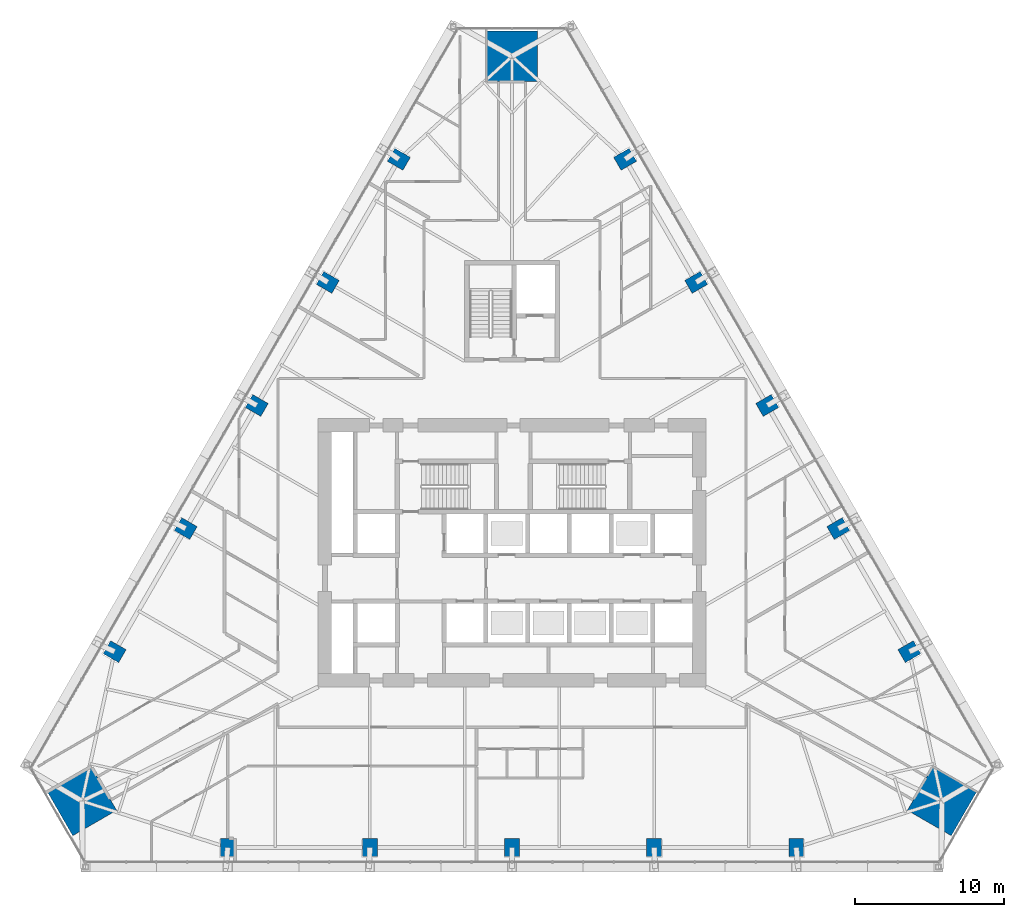
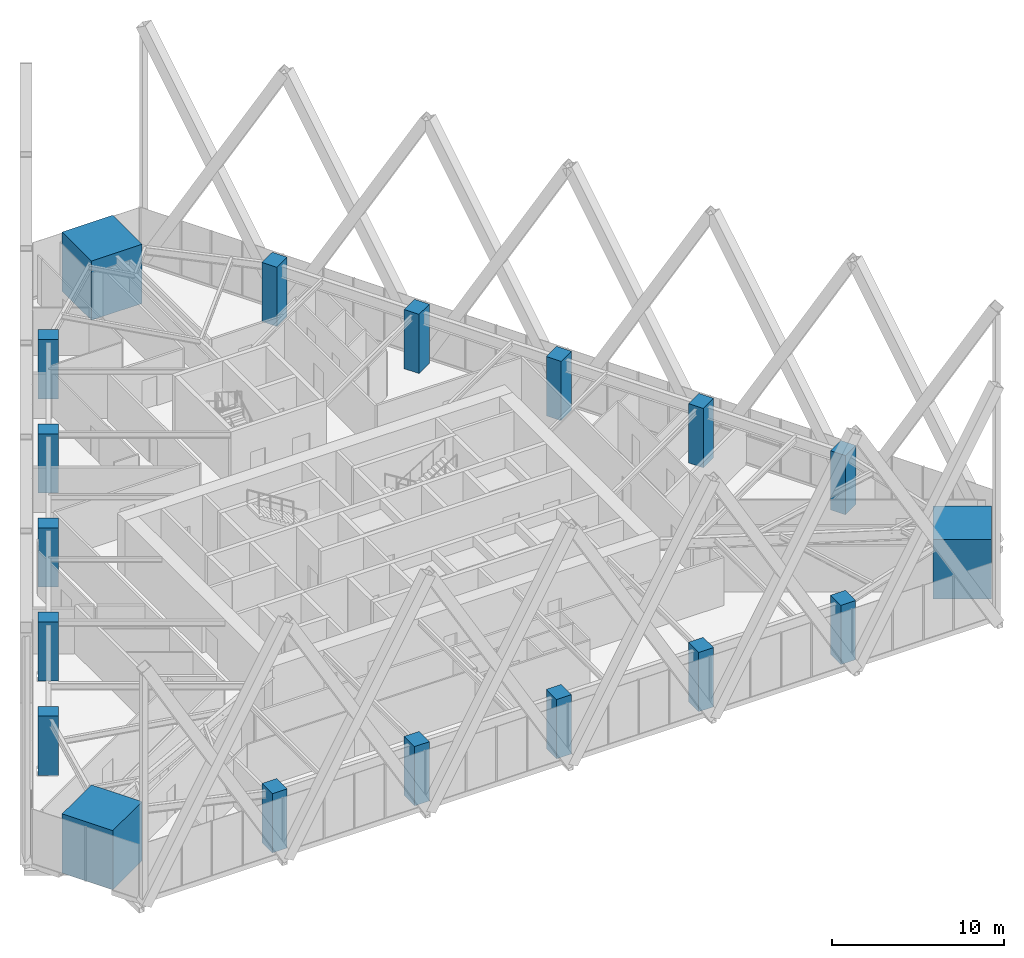
# One storey, part 1 of 23: 18 columns.
"""IFC4 building model written with IfcOpenShell, lengths in metres."""

from ifc_helpers import new_model, si_unit, direction, frame, origin, origin_2d, place, context, subcontext, project, spatial, rectangle, extrude, material, material_profile, profile_set, type_object, element, save


model = new_model("IFC4")

# Units and contexts
model_context = context("Model", 3, precision=1e-05, world=origin(), true_north=direction((0.0, 1.0)))
body_context = subcontext(model_context, "Body", "Model", "MODEL_VIEW")
ifc_project = project(units=[si_unit("LENGTHUNIT", "METRE"), si_unit("AREAUNIT", "SQUARE_METRE"), si_unit("VOLUMEUNIT", "CUBIC_METRE"), si_unit("PLANEANGLEUNIT", "RADIAN"), si_unit("MASSUNIT", "GRAM", prefix="KILO")], contexts=[model_context])

# Site, building, storey
site_placement = place(None, origin())
site = spatial("IfcSite", under=ifc_project, at=site_placement, CompositionType="ELEMENT")
building_placement = place(site_placement, origin())
building = spatial("IfcBuilding", under=site, at=building_placement, Name="Firuza Gate Tower and Library", CompositionType="ELEMENT")
storey_placement = place(building_placement, frame((0.0, 0.0, 56.800048828125)))
storey = spatial("IfcBuildingStorey", under=building, at=storey_placement, Name="L12", CompositionType="ELEMENT", Elevation=56.800048828125)

# Columns
ifc_material_1 = material(Name="Concrete C80/95", Category="concrete")
ifc_material_profile_1 = material_profile(ifc_material_1, rectangle(XDim=3.39990234375, YDim=3.39990234375, at=origin_2d()))
ifc_profile_set_1 = profile_set([ifc_material_profile_1], Name="Concrete C80/95")
column_type_1 = type_object("IfcColumnType", Name="Mega column 3400x3400 C80/95", PredefinedType="COLUMN", material=ifc_profile_set_1)
for number, where, z_axis, x_axis, name in (
    (1, (103.844482421875, 58.3466796875, 0.0), (0.0, 0.0, 1.0), (0.5, 0.866025403784, 0.0), "Mega column SE L12"),
    (2, (75.0, 108.306884765625, 0.0), (0.0, 0.0, 1.0), (-1.0, 0.0, 0.0), "Mega column N L12"),
    (3, (46.155517578125, 58.3466796875, 0.0), (0.0, 0.0, 1.0), (0.5, -0.866025403784, 0.0), "Mega column SW L12"),
):
    element("IfcColumn", number, at=place(storey_placement, frame(where, z_axis=z_axis, x_axis=x_axis)), inside=storey, type_object=column_type_1, Name=name, PredefinedType="COLUMN", context=body_context, shape_type="SweptSolid", body=[
        extrude(rectangle(XDim=3.39990234375, YDim=3.39990234375, at=origin_2d()), origin(), (0.0, 0.0, 1.0), 4.199951171875),
    ])
ifc_material_2 = material(Name="Concrete C60/75", Category="concrete")
ifc_material_profile_2 = material_profile(ifc_material_2, rectangle(XDim=1.0, YDim=1.199951171875, at=origin_2d()))
ifc_profile_set_2 = profile_set([ifc_material_profile_2], Name="Concrete C60/75")
column_type_2 = type_object("IfcColumnType", Name="Perimeter column 1000x1200 C60/75", PredefinedType="COLUMN", material=ifc_profile_set_2)
for number, where, z_axis, x_axis, name in (
    (4, (55.93115234375, 55.22900390625, -0.00048828125), (0.0, 0.0, 1.0), (1.0, 0.0, 0.0), "Column S1 L12"),
    (5, (65.465576171875, 55.22900390625, -0.00048828125), (0.0, 0.0, 1.0), (1.0, 0.0, 0.0), "Column S2 L12"),
    (6, (75.0, 55.22900390625, -0.00048828125), (0.0, 0.0, 1.0), (1.0, 0.0, 0.0), "Column S3 L12"),
    (7, (84.534423828125, 55.22900390625, -0.00048828125), (0.0, 0.0, 1.0), (1.0, 0.0, 0.0), "Column S4 L12"),
    (8, (94.06884765625, 55.22900390625, -0.00048828125), (0.0, 0.0, 1.0), (1.0, 0.0, 0.0), "Column S5 L12"),
    (9, (101.65673828125, 68.371337890625, -0.00048828125), (0.0, 0.0, 1.0), (-0.5, 0.866025403784, 0.0), "Column E1 L12"),
    (10, (96.889404296875, 76.62841796875, -0.00048828125), (0.0, 0.0, 1.0), (-0.5, 0.866025403784, 0.0), "Column E2 L12"),
    (11, (92.122314453125, 84.885498046875, -0.00048828125), (0.0, 0.0, 1.0), (-0.5, 0.866025403784, 0.0), "Column E3 L12"),
    (12, (87.35498046875, 93.142578125, -0.00048828125), (0.0, 0.0, 1.0), (-0.5, 0.866025403784, 0.0), "Column E4 L12"),
    (13, (82.587890625, 101.399658203125, -0.00048828125), (0.0, 0.0, 1.0), (-0.5, 0.866025403784, 0.0), "Column E5 L12"),
    (14, (67.412109375, 101.399658203125, -0.00048828125), (0.0, 0.0, 1.0), (-0.5, -0.866025403784, 0.0), "Column W1 L12"),
    (15, (62.64501953125, 93.142578125, -0.00048828125), (0.0, 0.0, 1.0), (-0.5, -0.866025403784, 0.0), "Column W2 L12"),
    (16, (57.877685546875, 84.885498046875, -0.00048828125), (0.0, 0.0, 1.0), (-0.5, -0.866025403784, 0.0), "Column W3 L12"),
    (17, (53.110595703125, 76.62841796875, -0.00048828125), (0.0, 0.0, 1.0), (-0.5, -0.866025403784, 0.0), "Column W4 L12"),
    (18, (48.34326171875, 68.371337890625, -0.00048828125), (0.0, 0.0, 1.0), (-0.5, -0.866025403784, 0.0), "Column W5 L12"),
):
    element("IfcColumn", number, at=place(storey_placement, frame(where, z_axis=z_axis, x_axis=x_axis)), inside=storey, type_object=column_type_2, Name=name, PredefinedType="COLUMN", context=body_context, shape_type="SweptSolid", body=[
        extrude(rectangle(XDim=1.0, YDim=1.199951171875, at=origin_2d()), origin(), (0.0, 0.0, 1.0), 4.200439453125),
    ])

save(model, "model.ifc")
